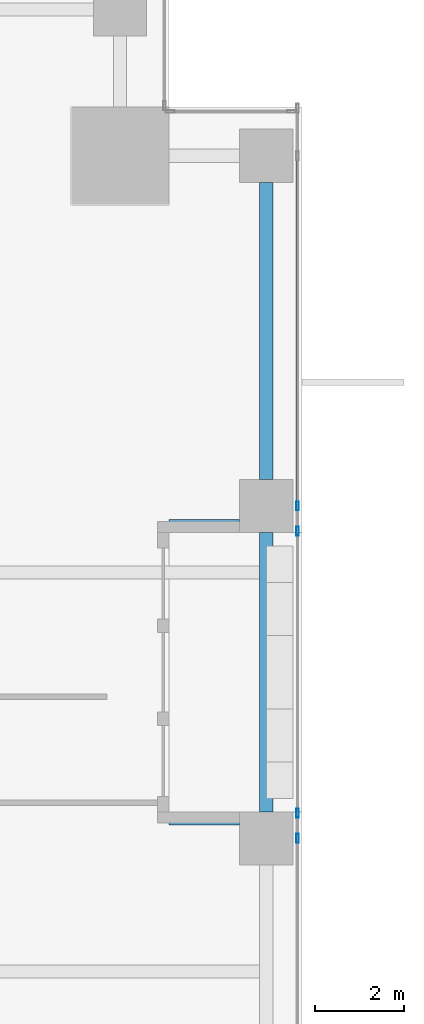
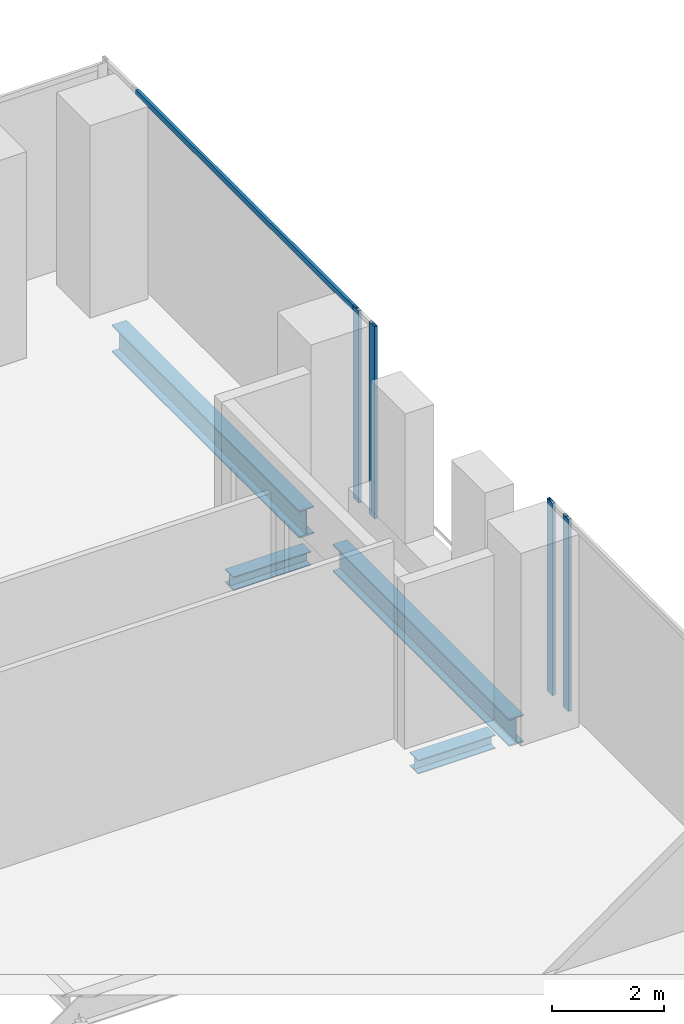
# One storey, part 17 of 32: 5 members, 4 beams, 2 elements without a shape of their own.
"""IFC4 building model written with IfcOpenShell, lengths in metres."""

from ifc_helpers import new_model, si_unit, direction, frame, origin, origin_2d, place, context, subcontext, project, spatial, hollow_rectangle, i_section, extrude, source, transform, mapped, material, material_profile, profile_set, type_object, element, aggregate, save


model = new_model("IFC4")

# Units and contexts
model_context = context("Model", 3, precision=1e-05, world=origin(), true_north=direction((0.0, 1.0)))
body_context = subcontext(model_context, "Body", "Model", "MODEL_VIEW")
ifc_project = project(units=[si_unit("LENGTHUNIT", "METRE"), si_unit("AREAUNIT", "SQUARE_METRE"), si_unit("VOLUMEUNIT", "CUBIC_METRE"), si_unit("PLANEANGLEUNIT", "RADIAN"), si_unit("MASSUNIT", "GRAM", prefix="KILO")], contexts=[model_context])

# Site, building, storey
site_placement = place(None, origin())
site = spatial("IfcSite", under=ifc_project, at=site_placement, CompositionType="ELEMENT")
building_placement = place(site_placement, origin())
building = spatial("IfcBuilding", under=site, at=building_placement, Name="Khomas Fold Tower", CompositionType="ELEMENT")
storey_placement = place(building_placement, frame((0.0, 0.0, 64.5)))
storey = spatial("IfcBuildingStorey", under=building, at=storey_placement, Name="L13", CompositionType="ELEMENT", Elevation=64.5)

# Beams
ifc_material_1 = material(Name="Steel S355", Category="steel")
ifc_material_profile_1 = material_profile(ifc_material_1, i_section(OverallWidth=0.300048828125, OverallDepth=0.60009765625, WebThickness=0.015380859375, FlangeThickness=0.030029296875, at=origin_2d()), Name="HE 600 B")
ifc_profile_set_1 = profile_set([ifc_material_profile_1], Name="Steel S355")
beam_type_1 = type_object("IfcBeamType", Name="HE 600 B spandrel SB1", PredefinedType="SPANDREL", material=ifc_profile_set_1)
shared_shape_1 = source(origin(), body_context, "Body", "SweptSolid", [
    extrude(i_section(OverallWidth=0.300048828125, OverallDepth=0.60009765625, WebThickness=0.015380859375, FlangeThickness=0.030029296875, at=origin_2d()), origin(), (0.0, 0.0, 1.0), 6.699951171875),
])
beam_1_placement = place(storey_placement, frame((53.199951171875, 42.60009765625, -0.60009765625), z_axis=(0.0, 1.0, 0.0), x_axis=(-1.0, 0.0, 0.0)))
element("IfcBeam", 1, at=beam_1_placement, inside=storey, type_object=beam_type_1, Name="SB1", PredefinedType="SPANDREL", context=body_context, shape_type="MappedRepresentation", body=[
    mapped(shared_shape_1, transform((0.0, 0.0, 0.0))),
])
shared_shape_2 = source(origin(), body_context, "Body", "SweptSolid", [
    extrude(i_section(OverallWidth=0.300048828125, OverallDepth=0.60009765625, WebThickness=0.015380859375, FlangeThickness=0.030029296875, at=origin_2d()), origin(), (0.0, 0.0, 1.0), 6.2998046875),
])
beam_2_placement = place(storey_placement, frame((53.199951171875, 35.10009765625, -0.60009765625), z_axis=(0.0, 1.0, 0.0), x_axis=(-1.0, 0.0, 0.0)))
element("IfcBeam", 2, at=beam_2_placement, inside=storey, type_object=beam_type_1, Name="SB1", PredefinedType="SPANDREL", context=body_context, shape_type="MappedRepresentation", body=[
    mapped(shared_shape_2, transform((0.0, 0.0, 0.0))),
])
ifc_material_2 = material(Name="Steel S355", Category="steel")
ifc_material_profile_2 = material_profile(ifc_material_2, i_section(OverallWidth=0.300048828125, OverallDepth=0.300048828125, WebThickness=0.010986328125, FlangeThickness=0.01904296875, at=origin_2d()), Name="HE 300 B")
ifc_profile_set_2 = profile_set([ifc_material_profile_2], Name="Steel S355")
beam_type_2 = type_object("IfcBeamType", Name="HE 300 B beam BB1", PredefinedType="BEAM", material=ifc_profile_set_2)
shared_shape_3 = source(origin(), body_context, "Body", "SweptSolid", [
    extrude(i_section(OverallWidth=0.300048828125, OverallDepth=0.300048828125, WebThickness=0.010986328125, FlangeThickness=0.01904296875, at=origin_2d()), origin(), (0.0, 0.0, 1.0), 1.60009765625),
])
for number, where, z_axis, x_axis, name in (
    (3, (51.0, 34.949951171875, -0.449951171875), (1.0, 0.0, 0.0), (0.0, 1.0, 0.0), "BB1"),
    (4, (51.0, 41.550048828125, -0.449951171875), (1.0, 0.0, 0.0), (0.0, 1.0, 0.0), "BB1"),
):
    element("IfcBeam", number, at=place(storey_placement, frame(where, z_axis=z_axis, x_axis=x_axis)), inside=storey, type_object=beam_type_2, Name=name, PredefinedType="BEAM", context=body_context, shape_type="MappedRepresentation", body=[
        mapped(shared_shape_3, transform((0.0, 0.0, 0.0))),
    ])

# Curtain wall, member
ifc_material_3 = material(Name="Aluminium framed double glazing", Category="aluminium")
curtain_wall_type = type_object("IfcCurtainWallType", Name="SK-Unitised clear-glass wall, growing floors CW1", PredefinedType="NOTDEFINED", material=ifc_material_3)
curtain_wall_1_placement = place(storey_placement, origin())
curtain_wall_1 = element("IfcCurtainWall", 5, at=curtain_wall_1_placement, inside=storey, type_object=curtain_wall_type, Name="CW1 run L13 03-1", PredefinedType="NOTDEFINED")
ifc_material_4 = material(Name="Aluminium", Category="aluminium")
ifc_material_profile_3 = material_profile(ifc_material_4, hollow_rectangle(XDim=0.06005859375, YDim=0.1201171875, WallThickness=0.00390625, at=origin_2d()), Name="SK-Unitised clear-glass wall, growing floors transom CW1-T")
ifc_profile_set_3 = profile_set([ifc_material_profile_3], Name="Aluminium")
member_type_1 = type_object("IfcMemberType", Name="SK-Unitised clear-glass wall, growing floors transom CW1-T", PredefinedType="USERDEFINED", material=ifc_profile_set_3)
shared_shape_4 = source(origin(), body_context, "Body", "SweptSolid", [
    extrude(hollow_rectangle(XDim=0.06005859375, YDim=0.1201171875, WallThickness=0.00390625, at=origin_2d()), origin(), (0.0, 0.0, 1.0), 7.840087890625),
])
member_1_placement = place(storey_placement, frame((53.89990234375, 42.030029296875, 4.139892578125), z_axis=(0.0, 1.0, 0.0), x_axis=(-1.0, 0.0, 0.0)))
member_1 = element("IfcMember", 6, at=member_1_placement, type_object=member_type_1, Name="CW1 transom 2", ObjectType="TRANSOM", PredefinedType="USERDEFINED", context=body_context, shape_type="MappedRepresentation", body=[
    mapped(shared_shape_4, transform((0.0, 0.0, 0.0))),
])

# Curtain wall, members
curtain_wall_2_placement = place(storey_placement, origin())
curtain_wall_2 = element("IfcCurtainWall", 7, at=curtain_wall_2_placement, inside=storey, type_object=curtain_wall_type, Name="CW1 run L13 03-0", PredefinedType="NOTDEFINED")
ifc_material_5 = material(Name="Aluminium", Category="aluminium")
ifc_material_profile_4 = material_profile(ifc_material_5, hollow_rectangle(XDim=0.06005859375, YDim=0.199951171875, WallThickness=0.00390625, at=origin_2d()), Name="SK-Unitised clear-glass wall, growing floors mullion CW1-M")
ifc_profile_set_4 = profile_set([ifc_material_profile_4], Name="Aluminium")
member_type_2 = type_object("IfcMemberType", Name="SK-Unitised clear-glass wall, growing floors mullion CW1-M", PredefinedType="MULLION", material=ifc_profile_set_4)
shared_shape_5 = source(origin(), body_context, "Body", "SweptSolid", [
    extrude(hollow_rectangle(XDim=0.06005859375, YDim=0.199951171875, WallThickness=0.00390625, at=origin_2d()), origin(), (0.0, 0.0, 1.0), 4.199951171875),
])
member_2_placement = place(storey_placement, frame((53.89990234375, 34.5, 0.0), z_axis=(0.0, 0.0, 1.0), x_axis=(-1.0, 0.0, 0.0)))
member_2 = element("IfcMember", 8, at=member_2_placement, type_object=member_type_2, Name="CW1 mullion 6", PredefinedType="MULLION", context=body_context, shape_type="MappedRepresentation", body=[
    mapped(shared_shape_5, transform((0.0, 0.0, 0.0))),
])
member_3_placement = place(storey_placement, frame((53.89990234375, 35.070068359375, 0.0), z_axis=(0.0, 0.0, 1.0), x_axis=(-1.0, 0.0, 0.0)))
member_3 = element("IfcMember", 9, at=member_3_placement, type_object=member_type_2, Name="CW1 mullion 7", PredefinedType="MULLION", context=body_context, shape_type="MappedRepresentation", body=[
    mapped(shared_shape_5, transform((0.0, 0.0, 0.0))),
])
aggregate(curtain_wall_2, [member_2, member_3])

# Member
member_4_placement = place(storey_placement, frame((53.89990234375, 41.429931640625, 0.0), z_axis=(0.0, 0.0, 1.0), x_axis=(-1.0, 0.0, 0.0)))
member_4 = element("IfcMember", 10, at=member_4_placement, type_object=member_type_2, Name="CW1 mullion 1", PredefinedType="MULLION", context=body_context, shape_type="MappedRepresentation", body=[
    mapped(shared_shape_5, transform((0.0, 0.0, 0.0))),
])

member_5_placement = place(storey_placement, frame((53.89990234375, 42.0, 0.0), z_axis=(0.0, 0.0, 1.0), x_axis=(-1.0, 0.0, 0.0)))
member_5 = element("IfcMember", 11, at=member_5_placement, type_object=member_type_2, Name="CW1 mullion 2", PredefinedType="MULLION", context=body_context, shape_type="MappedRepresentation", body=[
    mapped(shared_shape_5, transform((0.0, 0.0, 0.0))),
])

aggregate(curtain_wall_1, [member_4, member_5, member_1])

save(model, "model.ifc")
